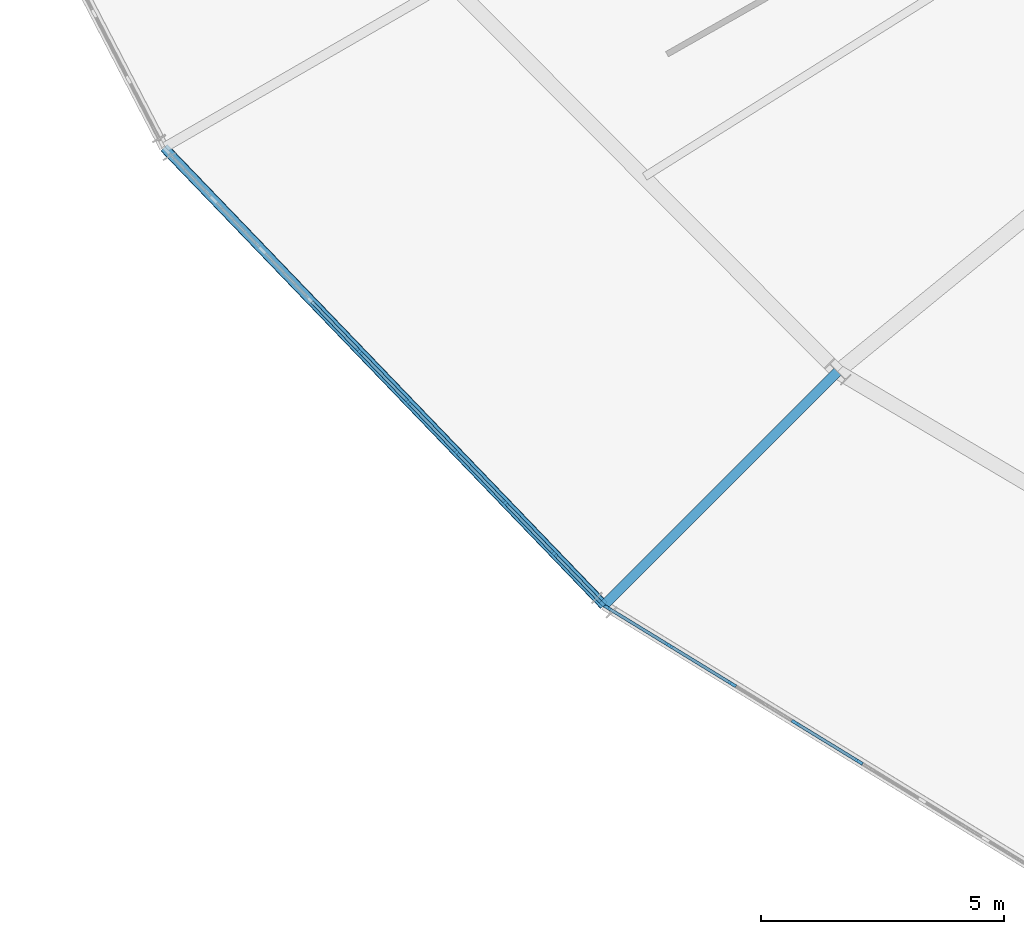
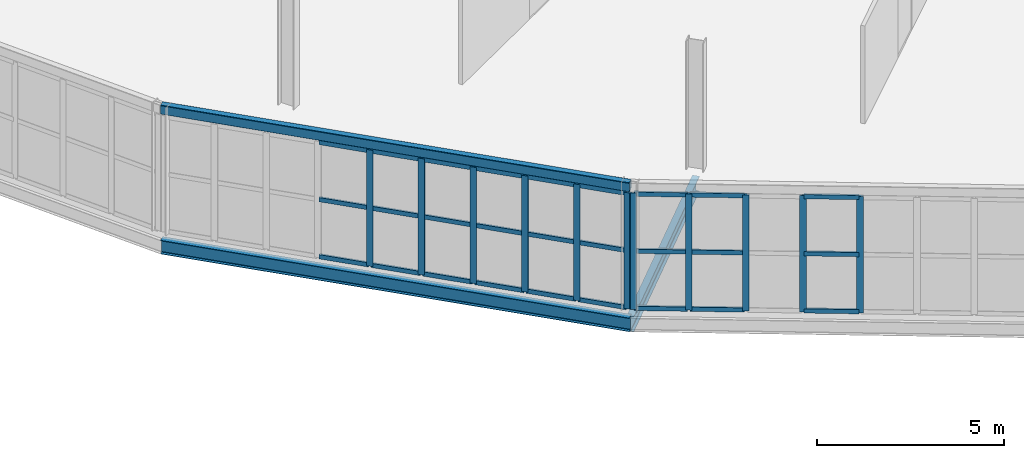
# One storey, part 39 of 161: 38 members, 3 beams, 2 elements without a shape of their own.
"""IFC4 building model written with IfcOpenShell, lengths in metres."""

from ifc_helpers import new_model, si_unit, direction, frame, origin, origin_2d, place, context, subcontext, project, spatial, rectangle, hollow_rectangle, i_section, extrude, material, material_profile, profile_set, type_object, element, aggregate, save


model = new_model("IFC4")

# Units and contexts
model_context = context("Model", 3, precision=1e-05, world=origin(), true_north=direction((0.0, 1.0)))
body_context = subcontext(model_context, "Body", "Model", "MODEL_VIEW")
ifc_project = project(units=[si_unit("LENGTHUNIT", "METRE"), si_unit("AREAUNIT", "SQUARE_METRE"), si_unit("VOLUMEUNIT", "CUBIC_METRE"), si_unit("PLANEANGLEUNIT", "RADIAN"), si_unit("MASSUNIT", "GRAM", prefix="KILO")], contexts=[model_context])

# Site, building, storey
site_placement = place(None, origin())
site = spatial("IfcSite", under=ifc_project, at=site_placement, CompositionType="ELEMENT")
building_placement = place(site_placement, origin())
building = spatial("IfcBuilding", under=site, at=building_placement, Name="Kildeholm Park Wholesale Market", CompositionType="ELEMENT")
storey_placement = place(building_placement, frame((0.0, 0.0, 5.39990234375)))
storey = spatial("IfcBuildingStorey", under=building, at=storey_placement, Name="L01", CompositionType="ELEMENT", Elevation=5.39990234375)

# Beams
ifc_material_1 = material(Name="Steel S355", Category="steel")
ifc_material_profile_1 = material_profile(ifc_material_1, i_section(OverallWidth=0.18994140625, OverallDepth=0.449951171875, WebThickness=0.009521484375, FlangeThickness=0.0146484375, FilletRadius=0.02099609375, at=origin_2d()), Name="IPE 450")
ifc_profile_set_1 = profile_set([ifc_material_profile_1], Name="Steel S355")
beam_type_1 = type_object("IfcBeamType", Name="Beam B-P02 IPE 450", PredefinedType="BEAM", material=ifc_profile_set_1)
beam_1_placement = place(storey_placement, frame((49.636962890625, 66.75, -0.474853515625), z_axis=(0.693006803532, -0.720931044039, 0.0), x_axis=(0.720931044039, 0.693006803532, 0.0)))
element("IfcBeam", 1, at=beam_1_placement, inside=storey, type_object=beam_type_1, Name="Beam BM-V1-L01-CO-14 BM-0131", PredefinedType="BEAM", context=body_context, shape_type="SweptSolid", body=[
    extrude(i_section(OverallWidth=0.18994140625, OverallDepth=0.449951171875, WebThickness=0.009521484375, FlangeThickness=0.0146484375, FilletRadius=0.02099609375, at=origin_2d()), origin(), (0.0, 0.0, 1.0), 13.07080078125),
])
ifc_material_profile_2 = material_profile(ifc_material_1, i_section(OverallWidth=0.199951171875, OverallDepth=0.5, WebThickness=0.01025390625, FlangeThickness=0.01611328125, FilletRadius=0.02099609375, at=origin_2d()), Name="IPE 500")
ifc_profile_set_2 = profile_set([ifc_material_profile_2], Name="Steel S355")
beam_type_2 = type_object("IfcBeamType", Name="Beam B-P03 IPE 500", PredefinedType="BEAM", material=ifc_profile_set_2)
beam_2_placement = place(storey_placement, frame((63.5029296875, 62.135009765625, -0.5), z_axis=(-0.707088828163, -0.707124733755, 0.0), x_axis=(0.707124733755, -0.707088828163, 0.0)))
element("IfcBeam", 2, at=beam_2_placement, inside=storey, type_object=beam_type_2, Name="Beam BM-V1-L01-R2-15 BM-0138", PredefinedType="BEAM", context=body_context, shape_type="SweptSolid", body=[
    extrude(i_section(OverallWidth=0.199951171875, OverallDepth=0.5, WebThickness=0.01025390625, FlangeThickness=0.01611328125, FilletRadius=0.02099609375, at=origin_2d()), origin(), (0.0, 0.0, 1.0), 6.799560546875),
])
ifc_material_profile_3 = material_profile(ifc_material_1, hollow_rectangle(XDim=0.199951171875, YDim=0.300048828125, WallThickness=0.012451171875, InnerFilletRadius=0.012451171875, OuterFilletRadius=0.02490234375, at=origin_2d()), Name="RHS 300x200x12.5")
ifc_profile_set_3 = profile_set([ifc_material_profile_3], Name="Steel S355")
beam_type_3 = type_object("IfcBeamType", Name="Beam SP-01 RHS 300x200x12.5", PredefinedType="SPANDREL", material=ifc_profile_set_3)
beam_3_placement = place(storey_placement, frame((49.636962890625, 66.75, 4.0205078125), z_axis=(0.693006803532, -0.720931044039, 0.0), x_axis=(0.720931044039, 0.693006803532, 0.0)))
element("IfcBeam", 3, at=beam_3_placement, inside=storey, type_object=beam_type_3, Name="Beam SP-V1-EAV-14 BM-0304", PredefinedType="SPANDREL", context=body_context, shape_type="SweptSolid", body=[
    extrude(hollow_rectangle(XDim=0.199951171875, YDim=0.300048828125, WallThickness=0.012451171875, InnerFilletRadius=0.012451171875, OuterFilletRadius=0.02490234375, at=origin_2d()), origin(), (0.0, 0.0, 1.0), 13.07080078125),
])

# Curtain wall, members
ifc_material_2 = material(Name="Anodised aluminium and low-E double-glazed glass", Category="aluminium")
curtain_wall_type = type_object("IfcCurtainWallType", Name="Market hall glazed arcade stick curtain wall CW-01", PredefinedType="NOTDEFINED", material=ifc_material_2)
curtain_wall_1_placement = place(storey_placement, origin())
curtain_wall_1 = element("IfcCurtainWall", 4, at=curtain_wall_1_placement, inside=storey, type_object=curtain_wall_type, Name="Curtain wall CW-V1-OT-14-1 CW-0069", PredefinedType="NOTDEFINED")
ifc_material_3 = material(Name="Anodised aluminium", Category="aluminium")
ifc_material_profile_4 = material_profile(ifc_material_3, rectangle(XDim=0.06494140625, YDim=0.179931640625, at=origin_2d()), Name="CWM 65x180")
ifc_profile_set_4 = profile_set([ifc_material_profile_4], Name="Anodised aluminium")
member_type_1 = type_object("IfcMemberType", Name="Curtain-wall mullion CWM-1 CWM 65x180", PredefinedType="MULLION", material=ifc_profile_set_4)
member_1_placement = place(storey_placement, frame((53.660888671875, 62.555419921875, 0.0), z_axis=(0.0, 0.0, 1.0), x_axis=(0.720901097951, 0.69303795493, 0.0)))
member_1 = element("IfcMember", 5, at=member_1_placement, type_object=member_type_1, Name="CW-01 mullion 5 MEM-2250", PredefinedType="MULLION", context=body_context, shape_type="SweptSolid", body=[
    extrude(rectangle(XDim=0.06494140625, YDim=0.179931640625, at=origin_2d()), origin(), (0.0, 0.0, 1.0), 3.800048828125),
])
member_2_placement = place(storey_placement, frame((54.6611328125, 61.5146484375, 0.0), z_axis=(0.0, 0.0, 1.0), x_axis=(0.720901097951, 0.69303795493, 0.0)))
member_2 = element("IfcMember", 6, at=member_2_placement, type_object=member_type_1, Name="CW-01 mullion 6 MEM-2251", PredefinedType="MULLION", context=body_context, shape_type="SweptSolid", body=[
    extrude(rectangle(XDim=0.06494140625, YDim=0.179931640625, at=origin_2d()), origin(), (0.0, 0.0, 1.0), 3.800048828125),
])
member_3_placement = place(storey_placement, frame((55.66162109375, 60.47412109375, 0.0), z_axis=(0.0, 0.0, 1.0), x_axis=(0.720901097951, 0.69303795493, 0.0)))
member_3 = element("IfcMember", 7, at=member_3_placement, type_object=member_type_1, Name="CW-01 mullion 7 MEM-2252", PredefinedType="MULLION", context=body_context, shape_type="SweptSolid", body=[
    extrude(rectangle(XDim=0.06494140625, YDim=0.179931640625, at=origin_2d()), origin(), (0.0, 0.0, 1.0), 3.800048828125),
])
member_4_placement = place(storey_placement, frame((56.662109375, 59.433349609375, 0.0), z_axis=(0.0, 0.0, 1.0), x_axis=(0.720901097951, 0.69303795493, 0.0)))
member_4 = element("IfcMember", 8, at=member_4_placement, type_object=member_type_1, Name="CW-01 mullion 8 MEM-2253", PredefinedType="MULLION", context=body_context, shape_type="SweptSolid", body=[
    extrude(rectangle(XDim=0.06494140625, YDim=0.179931640625, at=origin_2d()), origin(), (0.0, 0.0, 1.0), 3.800048828125),
])
member_5_placement = place(storey_placement, frame((57.66259765625, 58.392578125, 0.0), z_axis=(0.0, 0.0, 1.0), x_axis=(0.720901097951, 0.69303795493, 0.0)))
member_5 = element("IfcMember", 9, at=member_5_placement, type_object=member_type_1, Name="CW-01 mullion 9 MEM-2254", PredefinedType="MULLION", context=body_context, shape_type="SweptSolid", body=[
    extrude(rectangle(XDim=0.06494140625, YDim=0.179931640625, at=origin_2d()), origin(), (0.0, 0.0, 1.0), 3.800048828125),
])
member_6_placement = place(storey_placement, frame((58.640380859375, 57.37548828125, 0.0), z_axis=(0.0, 0.0, 1.0), x_axis=(0.720901097951, 0.69303795493, 0.0)))
member_6 = element("IfcMember", 10, at=member_6_placement, type_object=member_type_1, Name="CW-01 mullion 10 MEM-2255", PredefinedType="MULLION", context=body_context, shape_type="SweptSolid", body=[
    extrude(rectangle(XDim=0.06494140625, YDim=0.179931640625, at=origin_2d()), origin(), (0.0, 0.0, 1.0), 3.800048828125),
])

curtain_wall_2_placement = place(storey_placement, origin())
curtain_wall_2 = element("IfcCurtainWall", 11, at=curtain_wall_2_placement, inside=storey, type_object=curtain_wall_type, Name="Curtain wall CW-V1-OT-15-1 CW-0074", PredefinedType="NOTDEFINED")
member_7_placement = place(storey_placement, frame((58.752685546875, 57.284912109375, 0.0), z_axis=(0.0, 0.0, 1.0), x_axis=(0.522284342695, 0.852771402766, 0.0)))
member_7 = element("IfcMember", 12, at=member_7_placement, type_object=member_type_1, Name="CW-01 mullion 1 MEM-2375", PredefinedType="MULLION", context=body_context, shape_type="SweptSolid", body=[
    extrude(rectangle(XDim=0.06494140625, YDim=0.179931640625, at=origin_2d()), origin(), (0.0, 0.0, 1.0), 3.800048828125),
])
member_8_placement = place(storey_placement, frame((60.029296875, 56.503173828125, 0.0), z_axis=(0.0, 0.0, 1.0), x_axis=(0.522284342695, 0.852771402766, 0.0)))
member_8 = element("IfcMember", 13, at=member_8_placement, type_object=member_type_1, Name="CW-01 mullion 2 MEM-2376", PredefinedType="MULLION", context=body_context, shape_type="SweptSolid", body=[
    extrude(rectangle(XDim=0.06494140625, YDim=0.179931640625, at=origin_2d()), origin(), (0.0, 0.0, 1.0), 3.800048828125),
])
member_9_placement = place(storey_placement, frame((61.33349609375, 55.704345703125, 0.0), z_axis=(0.0, 0.0, 1.0), x_axis=(0.522284342695, 0.852771402766, 0.0)))
member_9 = element("IfcMember", 14, at=member_9_placement, type_object=member_type_1, Name="CW-01 mullion 3 MEM-2377", PredefinedType="MULLION", context=body_context, shape_type="SweptSolid", body=[
    extrude(rectangle(XDim=0.06494140625, YDim=0.179931640625, at=origin_2d()), origin(), (0.0, 0.0, 1.0), 3.800048828125),
])
member_10_placement = place(storey_placement, frame((62.6376953125, 54.90576171875, 0.0), z_axis=(0.0, 0.0, 1.0), x_axis=(0.522284342695, 0.852771402766, 0.0)))
member_10 = element("IfcMember", 15, at=member_10_placement, type_object=member_type_1, Name="CW-01 mullion 4 MEM-2378", PredefinedType="MULLION", context=body_context, shape_type="SweptSolid", body=[
    extrude(rectangle(XDim=0.06494140625, YDim=0.179931640625, at=origin_2d()), origin(), (0.0, 0.0, 1.0), 3.800048828125),
])
member_11_placement = place(storey_placement, frame((63.94189453125, 54.10693359375, 0.0), z_axis=(0.0, 0.0, 1.0), x_axis=(0.522284342695, 0.852771402766, 0.0)))
member_11 = element("IfcMember", 16, at=member_11_placement, type_object=member_type_1, Name="CW-01 mullion 5 MEM-2379", PredefinedType="MULLION", context=body_context, shape_type="SweptSolid", body=[
    extrude(rectangle(XDim=0.06494140625, YDim=0.179931640625, at=origin_2d()), origin(), (0.0, 0.0, 1.0), 3.800048828125),
])

# Member
ifc_material_profile_5 = material_profile(ifc_material_3, rectangle(XDim=0.06494140625, YDim=0.139892578125, at=origin_2d()), Name="CWT 65x140")
ifc_profile_set_5 = profile_set([ifc_material_profile_5], Name="Anodised aluminium")
member_type_2 = type_object("IfcMemberType", Name="Curtain-wall transom CWT-1 CWT 65x140", PredefinedType="USERDEFINED", material=ifc_profile_set_5)
member_12_placement = place(storey_placement, frame((52.682861328125, 63.572509765625, 0.03271484375), z_axis=(0.693066239187, -0.720873905825, 0.0), x_axis=(0.720873905825, 0.693066239187, 0.0)))
member_12 = element("IfcMember", 17, at=member_12_placement, type_object=member_type_2, Name="CW-01 transom 4.1 MEM-2265", ObjectType="TRANSOM", PredefinedType="USERDEFINED", context=body_context, shape_type="SweptSolid", body=[
    extrude(rectangle(XDim=0.06494140625, YDim=0.139892578125, at=origin_2d()), origin(), (0.0, 0.0, 1.0), 1.37841796875),
])

member_13_placement = place(storey_placement, frame((52.682861328125, 63.572509765625, 1.900146484375), z_axis=(0.693066239187, -0.720873905825, 0.0), x_axis=(0.720873905825, 0.693066239187, 0.0)))
member_13 = element("IfcMember", 18, at=member_13_placement, type_object=member_type_2, Name="CW-01 transom 4.2 MEM-2266", ObjectType="TRANSOM", PredefinedType="USERDEFINED", context=body_context, shape_type="SweptSolid", body=[
    extrude(rectangle(XDim=0.06494140625, YDim=0.139892578125, at=origin_2d()), origin(), (0.0, 0.0, 1.0), 1.37841796875),
])

member_14_placement = place(storey_placement, frame((52.682861328125, 63.572509765625, 3.767578125), z_axis=(0.693066239187, -0.720873905825, 0.0), x_axis=(0.720873905825, 0.693066239187, 0.0)))
member_14 = element("IfcMember", 19, at=member_14_placement, type_object=member_type_2, Name="CW-01 transom 4.3 MEM-2267", ObjectType="TRANSOM", PredefinedType="USERDEFINED", context=body_context, shape_type="SweptSolid", body=[
    extrude(rectangle(XDim=0.06494140625, YDim=0.139892578125, at=origin_2d()), origin(), (0.0, 0.0, 1.0), 1.37841796875),
])

member_15_placement = place(storey_placement, frame((53.683349609375, 62.531982421875, 0.03271484375), z_axis=(0.692977754297, -0.720958966967, 0.0), x_axis=(0.720958966967, 0.692977754297, 0.0)))
member_15 = element("IfcMember", 20, at=member_15_placement, type_object=member_type_2, Name="CW-01 transom 5.1 MEM-2268", ObjectType="TRANSOM", PredefinedType="USERDEFINED", context=body_context, shape_type="SweptSolid", body=[
    extrude(rectangle(XDim=0.06494140625, YDim=0.139892578125, at=origin_2d()), origin(), (0.0, 0.0, 1.0), 1.378662109375),
])

member_16_placement = place(storey_placement, frame((53.683349609375, 62.531982421875, 1.900146484375), z_axis=(0.692977754297, -0.720958966967, 0.0), x_axis=(0.720958966967, 0.692977754297, 0.0)))
member_16 = element("IfcMember", 21, at=member_16_placement, type_object=member_type_2, Name="CW-01 transom 5.2 MEM-2269", ObjectType="TRANSOM", PredefinedType="USERDEFINED", context=body_context, shape_type="SweptSolid", body=[
    extrude(rectangle(XDim=0.06494140625, YDim=0.139892578125, at=origin_2d()), origin(), (0.0, 0.0, 1.0), 1.378662109375),
])

member_17_placement = place(storey_placement, frame((53.683349609375, 62.531982421875, 3.767578125), z_axis=(0.692977754297, -0.720958966967, 0.0), x_axis=(0.720958966967, 0.692977754297, 0.0)))
member_17 = element("IfcMember", 22, at=member_17_placement, type_object=member_type_2, Name="CW-01 transom 5.3 MEM-2270", ObjectType="TRANSOM", PredefinedType="USERDEFINED", context=body_context, shape_type="SweptSolid", body=[
    extrude(rectangle(XDim=0.06494140625, YDim=0.139892578125, at=origin_2d()), origin(), (0.0, 0.0, 1.0), 1.378662109375),
])

member_18_placement = place(storey_placement, frame((54.683837890625, 61.4912109375, 0.03271484375), z_axis=(0.692977754297, -0.720958966967, 0.0), x_axis=(0.720958966967, 0.692977754297, 0.0)))
member_18 = element("IfcMember", 23, at=member_18_placement, type_object=member_type_2, Name="CW-01 transom 6.1 MEM-2271", ObjectType="TRANSOM", PredefinedType="USERDEFINED", context=body_context, shape_type="SweptSolid", body=[
    extrude(rectangle(XDim=0.06494140625, YDim=0.139892578125, at=origin_2d()), origin(), (0.0, 0.0, 1.0), 1.378662109375),
])

member_19_placement = place(storey_placement, frame((54.683837890625, 61.4912109375, 1.900146484375), z_axis=(0.692977754297, -0.720958966967, 0.0), x_axis=(0.720958966967, 0.692977754297, 0.0)))
member_19 = element("IfcMember", 24, at=member_19_placement, type_object=member_type_2, Name="CW-01 transom 6.2 MEM-2272", ObjectType="TRANSOM", PredefinedType="USERDEFINED", context=body_context, shape_type="SweptSolid", body=[
    extrude(rectangle(XDim=0.06494140625, YDim=0.139892578125, at=origin_2d()), origin(), (0.0, 0.0, 1.0), 1.378662109375),
])

member_20_placement = place(storey_placement, frame((54.683837890625, 61.4912109375, 3.767578125), z_axis=(0.692977754297, -0.720958966967, 0.0), x_axis=(0.720958966967, 0.692977754297, 0.0)))
member_20 = element("IfcMember", 25, at=member_20_placement, type_object=member_type_2, Name="CW-01 transom 6.3 MEM-2273", ObjectType="TRANSOM", PredefinedType="USERDEFINED", context=body_context, shape_type="SweptSolid", body=[
    extrude(rectangle(XDim=0.06494140625, YDim=0.139892578125, at=origin_2d()), origin(), (0.0, 0.0, 1.0), 1.378662109375),
])

member_21_placement = place(storey_placement, frame((55.68408203125, 60.45068359375, 0.03271484375), z_axis=(0.693069788784, -0.720870493137, 0.0), x_axis=(0.720870493137, 0.693069788784, 0.0)))
member_21 = element("IfcMember", 26, at=member_21_placement, type_object=member_type_2, Name="CW-01 transom 7.1 MEM-2274", ObjectType="TRANSOM", PredefinedType="USERDEFINED", context=body_context, shape_type="SweptSolid", body=[
    extrude(rectangle(XDim=0.06494140625, YDim=0.139892578125, at=origin_2d()), origin(), (0.0, 0.0, 1.0), 1.378662109375),
])

member_22_placement = place(storey_placement, frame((55.68408203125, 60.45068359375, 1.900146484375), z_axis=(0.693069788784, -0.720870493137, 0.0), x_axis=(0.720870493137, 0.693069788784, 0.0)))
member_22 = element("IfcMember", 27, at=member_22_placement, type_object=member_type_2, Name="CW-01 transom 7.2 MEM-2275", ObjectType="TRANSOM", PredefinedType="USERDEFINED", context=body_context, shape_type="SweptSolid", body=[
    extrude(rectangle(XDim=0.06494140625, YDim=0.139892578125, at=origin_2d()), origin(), (0.0, 0.0, 1.0), 1.378662109375),
])

member_23_placement = place(storey_placement, frame((55.68408203125, 60.45068359375, 3.767578125), z_axis=(0.693069788784, -0.720870493137, 0.0), x_axis=(0.720870493137, 0.693069788784, 0.0)))
member_23 = element("IfcMember", 28, at=member_23_placement, type_object=member_type_2, Name="CW-01 transom 7.3 MEM-2276", ObjectType="TRANSOM", PredefinedType="USERDEFINED", context=body_context, shape_type="SweptSolid", body=[
    extrude(rectangle(XDim=0.06494140625, YDim=0.139892578125, at=origin_2d()), origin(), (0.0, 0.0, 1.0), 1.378662109375),
])

member_24_placement = place(storey_placement, frame((56.6845703125, 59.409912109375, 0.03271484375), z_axis=(0.693069788784, -0.720870493137, 0.0), x_axis=(0.720870493137, 0.693069788784, 0.0)))
member_24 = element("IfcMember", 29, at=member_24_placement, type_object=member_type_2, Name="CW-01 transom 8.1 MEM-2277", ObjectType="TRANSOM", PredefinedType="USERDEFINED", context=body_context, shape_type="SweptSolid", body=[
    extrude(rectangle(XDim=0.06494140625, YDim=0.139892578125, at=origin_2d()), origin(), (0.0, 0.0, 1.0), 1.378662109375),
])

member_25_placement = place(storey_placement, frame((56.6845703125, 59.409912109375, 1.900146484375), z_axis=(0.693069788784, -0.720870493137, 0.0), x_axis=(0.720870493137, 0.693069788784, 0.0)))
member_25 = element("IfcMember", 30, at=member_25_placement, type_object=member_type_2, Name="CW-01 transom 8.2 MEM-2278", ObjectType="TRANSOM", PredefinedType="USERDEFINED", context=body_context, shape_type="SweptSolid", body=[
    extrude(rectangle(XDim=0.06494140625, YDim=0.139892578125, at=origin_2d()), origin(), (0.0, 0.0, 1.0), 1.378662109375),
])

member_26_placement = place(storey_placement, frame((56.6845703125, 59.409912109375, 3.767578125), z_axis=(0.693069788784, -0.720870493137, 0.0), x_axis=(0.720870493137, 0.693069788784, 0.0)))
member_26 = element("IfcMember", 31, at=member_26_placement, type_object=member_type_2, Name="CW-01 transom 8.3 MEM-2279", ObjectType="TRANSOM", PredefinedType="USERDEFINED", context=body_context, shape_type="SweptSolid", body=[
    extrude(rectangle(XDim=0.06494140625, YDim=0.139892578125, at=origin_2d()), origin(), (0.0, 0.0, 1.0), 1.378662109375),
])

member_27_placement = place(storey_placement, frame((57.68505859375, 58.369140625, 0.03271484375), z_axis=(0.693094216002, -0.720847007169, 0.0), x_axis=(0.720847007169, 0.693094216002, 0.0)))
member_27 = element("IfcMember", 32, at=member_27_placement, type_object=member_type_2, Name="CW-01 transom 9.1 MEM-2280", ObjectType="TRANSOM", PredefinedType="USERDEFINED", context=body_context, shape_type="SweptSolid", body=[
    extrude(rectangle(XDim=0.06494140625, YDim=0.139892578125, at=origin_2d()), origin(), (0.0, 0.0, 1.0), 1.345947265625),
])

member_28_placement = place(storey_placement, frame((57.68505859375, 58.369140625, 1.900146484375), z_axis=(0.693094216002, -0.720847007169, 0.0), x_axis=(0.720847007169, 0.693094216002, 0.0)))
member_28 = element("IfcMember", 33, at=member_28_placement, type_object=member_type_2, Name="CW-01 transom 9.2 MEM-2281", ObjectType="TRANSOM", PredefinedType="USERDEFINED", context=body_context, shape_type="SweptSolid", body=[
    extrude(rectangle(XDim=0.06494140625, YDim=0.139892578125, at=origin_2d()), origin(), (0.0, 0.0, 1.0), 1.345947265625),
])

member_29_placement = place(storey_placement, frame((57.68505859375, 58.369140625, 3.767578125), z_axis=(0.693094216002, -0.720847007169, 0.0), x_axis=(0.720847007169, 0.693094216002, 0.0)))
member_29 = element("IfcMember", 34, at=member_29_placement, type_object=member_type_2, Name="CW-01 transom 9.3 MEM-2282", ObjectType="TRANSOM", PredefinedType="USERDEFINED", context=body_context, shape_type="SweptSolid", body=[
    extrude(rectangle(XDim=0.06494140625, YDim=0.139892578125, at=origin_2d()), origin(), (0.0, 0.0, 1.0), 1.345947265625),
])

aggregate(curtain_wall_1, [member_1, member_2, member_3, member_4, member_5, member_6, member_12, member_13, member_14, member_15, member_16, member_17, member_18, member_19, member_20, member_21, member_22, member_23, member_24, member_25, member_26, member_27, member_28, member_29])

member_30_placement = place(storey_placement, frame((58.780517578125, 57.26806640625, 0.03271484375), z_axis=(0.85276295906, -0.522298129094, 0.0), x_axis=(0.522298129094, 0.85276295906, 0.0)))
member_30 = element("IfcMember", 35, at=member_30_placement, type_object=member_type_2, Name="CW-01 transom 1.1 MEM-2385", ObjectType="TRANSOM", PredefinedType="USERDEFINED", context=body_context, shape_type="SweptSolid", body=[
    extrude(rectangle(XDim=0.06494140625, YDim=0.139892578125, at=origin_2d()), origin(), (0.0, 0.0, 1.0), 1.431640625),
])

member_31_placement = place(storey_placement, frame((58.780517578125, 57.26806640625, 1.900146484375), z_axis=(0.85276295906, -0.522298129094, 0.0), x_axis=(0.522298129094, 0.85276295906, 0.0)))
member_31 = element("IfcMember", 36, at=member_31_placement, type_object=member_type_2, Name="CW-01 transom 1.2 MEM-2386", ObjectType="TRANSOM", PredefinedType="USERDEFINED", context=body_context, shape_type="SweptSolid", body=[
    extrude(rectangle(XDim=0.06494140625, YDim=0.139892578125, at=origin_2d()), origin(), (0.0, 0.0, 1.0), 1.431640625),
])

member_32_placement = place(storey_placement, frame((58.780517578125, 57.26806640625, 3.767578125), z_axis=(0.85276295906, -0.522298129094, 0.0), x_axis=(0.522298129094, 0.85276295906, 0.0)))
member_32 = element("IfcMember", 37, at=member_32_placement, type_object=member_type_2, Name="CW-01 transom 1.3 MEM-2387", ObjectType="TRANSOM", PredefinedType="USERDEFINED", context=body_context, shape_type="SweptSolid", body=[
    extrude(rectangle(XDim=0.06494140625, YDim=0.139892578125, at=origin_2d()), origin(), (0.0, 0.0, 1.0), 1.431640625),
])

member_33_placement = place(storey_placement, frame((60.056884765625, 56.486328125, 0.03271484375), z_axis=(0.852749773826, -0.522319656187, 0.0), x_axis=(0.522319656187, 0.852749773826, 0.0)))
member_33 = element("IfcMember", 38, at=member_33_placement, type_object=member_type_2, Name="CW-01 transom 2.1 MEM-2388", ObjectType="TRANSOM", PredefinedType="USERDEFINED", context=body_context, shape_type="SweptSolid", body=[
    extrude(rectangle(XDim=0.06494140625, YDim=0.139892578125, at=origin_2d()), origin(), (0.0, 0.0, 1.0), 1.46435546875),
])

member_34_placement = place(storey_placement, frame((60.056884765625, 56.486328125, 1.900146484375), z_axis=(0.852749773826, -0.522319656187, 0.0), x_axis=(0.522319656187, 0.852749773826, 0.0)))
member_34 = element("IfcMember", 39, at=member_34_placement, type_object=member_type_2, Name="CW-01 transom 2.2 MEM-2389", ObjectType="TRANSOM", PredefinedType="USERDEFINED", context=body_context, shape_type="SweptSolid", body=[
    extrude(rectangle(XDim=0.06494140625, YDim=0.139892578125, at=origin_2d()), origin(), (0.0, 0.0, 1.0), 1.46435546875),
])

member_35_placement = place(storey_placement, frame((60.056884765625, 56.486328125, 3.767578125), z_axis=(0.852749773826, -0.522319656187, 0.0), x_axis=(0.522319656187, 0.852749773826, 0.0)))
member_35 = element("IfcMember", 40, at=member_35_placement, type_object=member_type_2, Name="CW-01 transom 2.3 MEM-2390", ObjectType="TRANSOM", PredefinedType="USERDEFINED", context=body_context, shape_type="SweptSolid", body=[
    extrude(rectangle(XDim=0.06494140625, YDim=0.139892578125, at=origin_2d()), origin(), (0.0, 0.0, 1.0), 1.46435546875),
])

member_36_placement = place(storey_placement, frame((62.665283203125, 54.888671875, 0.03271484375), z_axis=(0.852749773826, -0.522319656187, 0.0), x_axis=(0.522319656187, 0.852749773826, 0.0)))
member_36 = element("IfcMember", 41, at=member_36_placement, type_object=member_type_2, Name="CW-01 transom 4.1 MEM-2394", ObjectType="TRANSOM", PredefinedType="USERDEFINED", context=body_context, shape_type="SweptSolid", body=[
    extrude(rectangle(XDim=0.06494140625, YDim=0.139892578125, at=origin_2d()), origin(), (0.0, 0.0, 1.0), 1.46435546875),
])

member_37_placement = place(storey_placement, frame((62.665283203125, 54.888671875, 1.900146484375), z_axis=(0.852749773826, -0.522319656187, 0.0), x_axis=(0.522319656187, 0.852749773826, 0.0)))
member_37 = element("IfcMember", 42, at=member_37_placement, type_object=member_type_2, Name="CW-01 transom 4.2 MEM-2395", ObjectType="TRANSOM", PredefinedType="USERDEFINED", context=body_context, shape_type="SweptSolid", body=[
    extrude(rectangle(XDim=0.06494140625, YDim=0.139892578125, at=origin_2d()), origin(), (0.0, 0.0, 1.0), 1.46435546875),
])

member_38_placement = place(storey_placement, frame((62.665283203125, 54.888671875, 3.767578125), z_axis=(0.852749773826, -0.522319656187, 0.0), x_axis=(0.522319656187, 0.852749773826, 0.0)))
member_38 = element("IfcMember", 43, at=member_38_placement, type_object=member_type_2, Name="CW-01 transom 4.3 MEM-2396", ObjectType="TRANSOM", PredefinedType="USERDEFINED", context=body_context, shape_type="SweptSolid", body=[
    extrude(rectangle(XDim=0.06494140625, YDim=0.139892578125, at=origin_2d()), origin(), (0.0, 0.0, 1.0), 1.46435546875),
])

aggregate(curtain_wall_2, [member_7, member_8, member_9, member_10, member_11, member_30, member_31, member_32, member_33, member_34, member_35, member_36, member_37, member_38])

save(model, "model.ifc")
